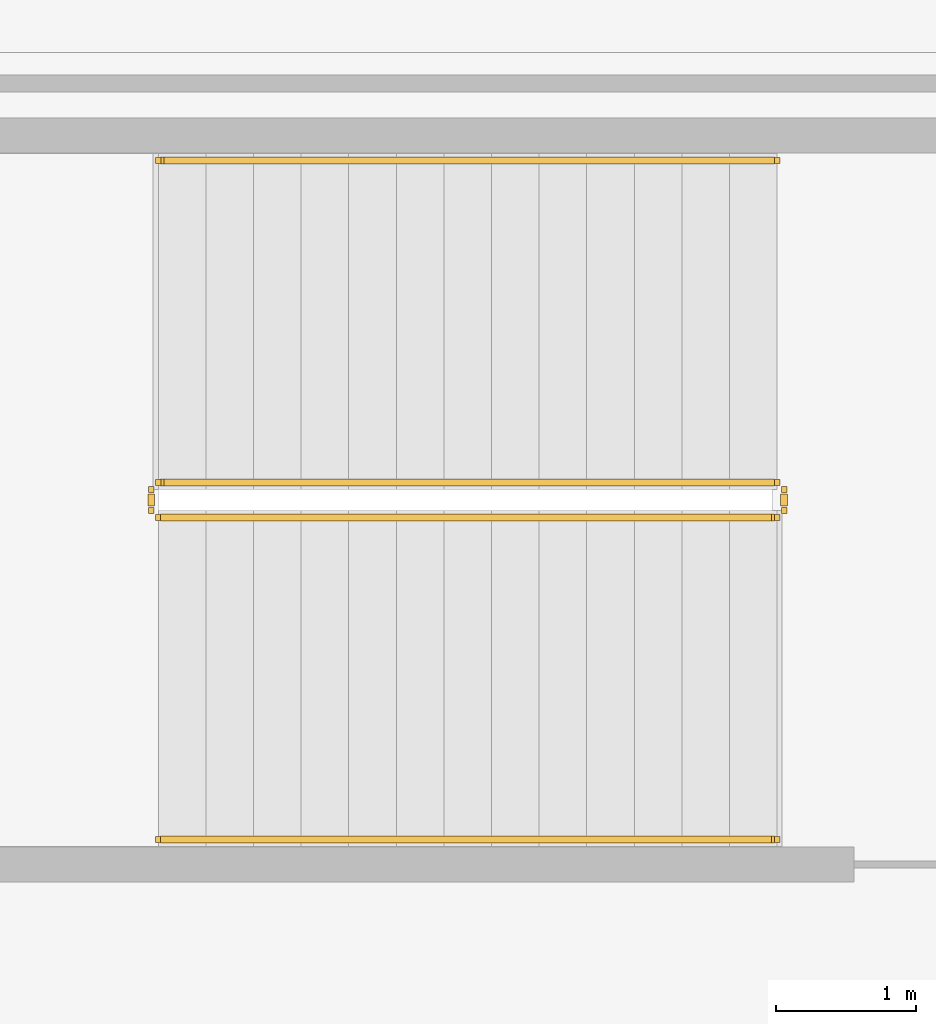
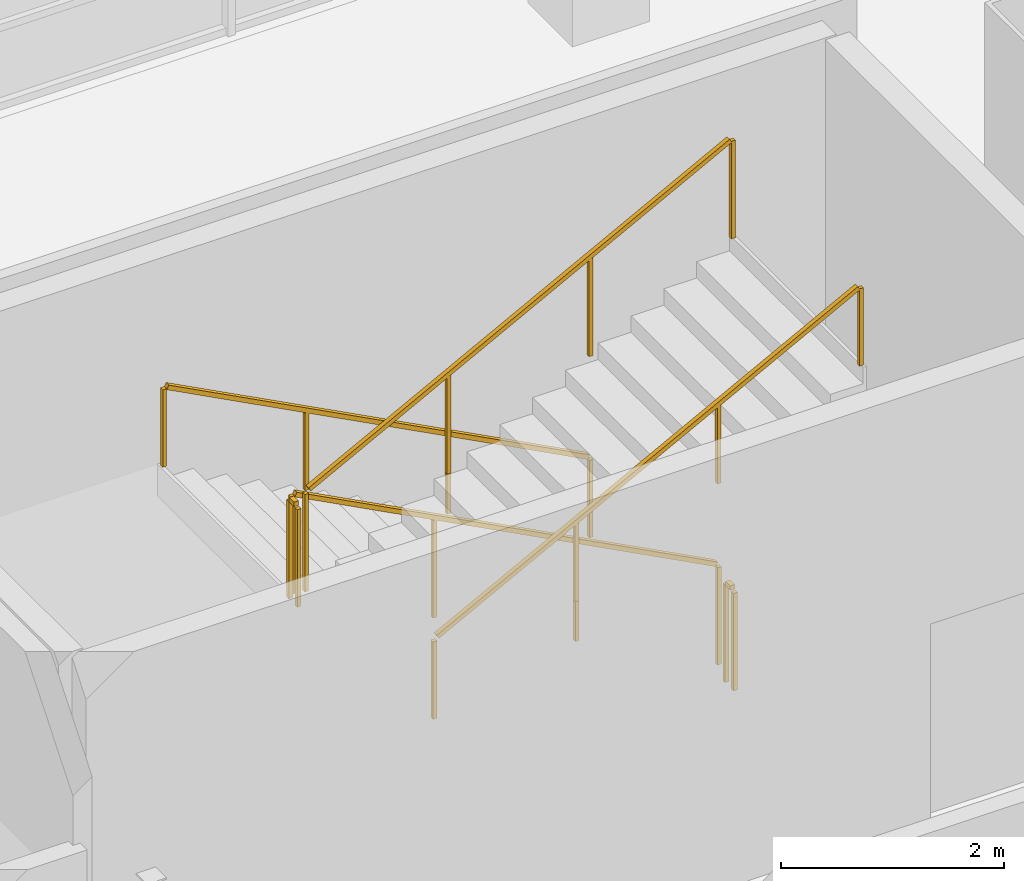
# One storey, part 20 of 20: 6 railings.
"""IFC4 building model written with IfcOpenShell, lengths in metres."""

from ifc_helpers import new_model, si_unit, direction, frame, origin, origin_2d, place, context, subcontext, project, spatial, rectangle, extrude, material, type_object, element, save


model = new_model("IFC4")

# Units and contexts
model_context = context("Model", 3, precision=1e-05, world=origin(), true_north=direction((0.0, 1.0)))
body_context = subcontext(model_context, "Body", "Model", "MODEL_VIEW")
ifc_project = project(units=[si_unit("LENGTHUNIT", "METRE"), si_unit("AREAUNIT", "SQUARE_METRE"), si_unit("VOLUMEUNIT", "CUBIC_METRE"), si_unit("PLANEANGLEUNIT", "RADIAN"), si_unit("MASSUNIT", "GRAM", prefix="KILO")], contexts=[model_context])

# Site, building, storey
site_placement = place(None, origin())
site = spatial("IfcSite", under=ifc_project, at=site_placement, CompositionType="ELEMENT")
building_placement = place(site_placement, origin())
building = spatial("IfcBuilding", under=site, at=building_placement, Name="Tharavind Bronze Gate", CompositionType="ELEMENT")
storey_placement = place(building_placement, frame((0.0, 0.0, 16.5)))
storey = spatial("IfcBuildingStorey", under=building, at=storey_placement, Name="L03", CompositionType="ELEMENT", Elevation=16.5)

# Railings
ifc_material = material(Name="Brushed Bronze Alloy", Category="metal")
railing_type_1 = type_object("IfcRailingType", Name="STAIR BRONZE HANDRAIL 900", PredefinedType="HANDRAIL", material=ifc_material)
railing_1_placement = place(storey_placement, frame((26.0, 17.89990234375, 0.178466796875)))
element("IfcRailing", 1, at=railing_1_placement, inside=storey, type_object=railing_type_1, Name="L03 ST4 stair handrail 1", PredefinedType="HANDRAIL", context=body_context, shape_type="SweptSolid", body=[
    extrude(rectangle(XDim=0.048095703125, YDim=0.048095703125, at=origin_2d()), frame((-0.0283203125, 0.0, 0.890625), z_axis=(-0.885309332511, 0.0, 0.465002565336), x_axis=(0.0, -1.0, 0.0)), (0.0, 0.0, 1.0), 4.928466796875),
    extrude(rectangle(XDim=0.0400390625, YDim=0.0400390625, at=origin_2d()), origin(), (0.0, 0.0, 1.0), 0.847900390625),
    extrude(rectangle(XDim=0.0400390625, YDim=0.0400390625, at=origin_2d()), frame((-1.473388671875, 0.0, 0.77392578125)), (0.0, 0.0, 1.0), 0.847900390625),
    extrude(rectangle(XDim=0.0400390625, YDim=0.0400390625, at=origin_2d()), frame((-2.946533203125, 0.0, 1.547607421875)), (0.0, 0.0, 1.0), 0.847900390625),
    extrude(rectangle(XDim=0.0400390625, YDim=0.0400390625, at=origin_2d()), frame((-4.419921875, 0.0, 2.321533203125)), (0.0, 0.0, 1.0), 0.847900390625),
])
railing_2_placement = place(storey_placement, frame((21.580078125, 13.050048828125, 2.678466796875)))
element("IfcRailing", 2, at=railing_2_placement, inside=storey, type_object=railing_type_1, Name="L03 ST4 stair handrail 2", PredefinedType="HANDRAIL", context=body_context, shape_type="SweptSolid", body=[
    extrude(rectangle(XDim=0.048095703125, YDim=0.048095703125, at=origin_2d()), frame((0.0283203125, 0.0, 0.890625), z_axis=(0.885309332511, 0.0, 0.465002565336), x_axis=(0.0, 1.0, 0.0)), (0.0, 0.0, 1.0), 4.928466796875),
    extrude(rectangle(XDim=0.0400390625, YDim=0.0400390625, at=origin_2d()), origin(), (0.0, 0.0, 1.0), 0.847900390625),
    extrude(rectangle(XDim=0.0400390625, YDim=0.0400390625, at=origin_2d()), frame((1.473388671875, 0.0, 0.77392578125)), (0.0, 0.0, 1.0), 0.847900390625),
    extrude(rectangle(XDim=0.0400390625, YDim=0.0400390625, at=origin_2d()), frame((2.946533203125, 0.0, 1.547607421875)), (0.0, 0.0, 1.0), 0.847900390625),
    extrude(rectangle(XDim=0.0400390625, YDim=0.0400390625, at=origin_2d()), frame((4.419921875, 0.0, 2.321533203125)), (0.0, 0.0, 1.0), 0.847900390625),
])
railing_type_2 = type_object("IfcRailingType", Name="STAIR WELL GUARD RAILING 1120", PredefinedType="GUARDRAIL", material=ifc_material)
railing_3_placement = place(storey_placement, frame((26.0, 15.60009765625, 0.178466796875)))
element("IfcRailing", 3, at=railing_3_placement, inside=storey, type_object=railing_type_2, Name="L03 ST4 stair guard 1", PredefinedType="GUARDRAIL", context=body_context, shape_type="SweptSolid", body=[
    extrude(rectangle(XDim=0.048095703125, YDim=0.048095703125, at=origin_2d()), frame((-0.0283203125, 0.0, 1.11083984375), z_axis=(-0.885309332511, 0.0, 0.465002565336), x_axis=(0.0, -1.0, 0.0)), (0.0, 0.0, 1.0), 4.928466796875),
    extrude(rectangle(XDim=0.0400390625, YDim=0.0400390625, at=origin_2d()), origin(), (0.0, 0.0, 1.0), 1.068115234375),
    extrude(rectangle(XDim=0.0400390625, YDim=0.0400390625, at=origin_2d()), frame((-1.473388671875, 0.0, 0.77392578125)), (0.0, 0.0, 1.0), 1.068115234375),
    extrude(rectangle(XDim=0.0400390625, YDim=0.0400390625, at=origin_2d()), frame((-2.946533203125, 0.0, 1.547607421875)), (0.0, 0.0, 1.0), 1.068115234375),
    extrude(rectangle(XDim=0.0400390625, YDim=0.0400390625, at=origin_2d()), frame((-4.419921875, 0.0, 2.321533203125)), (0.0, 0.0, 1.0), 1.068115234375),
])
railing_4_placement = place(storey_placement, frame((21.530029296875, 15.550048828125, 2.5)))
element("IfcRailing", 4, at=railing_4_placement, inside=storey, type_object=railing_type_2, Name="L03 ST4 stair guard 2", PredefinedType="GUARDRAIL", context=body_context, shape_type="SweptSolid", body=[
    extrude(rectangle(XDim=0.048095703125, YDim=0.048095703125, at=origin_2d()), frame((0.0, -0.031982421875, 1.09619140625), z_axis=(0.0, -1.0, 0.0), x_axis=(1.0, 0.0, 0.0)), (0.0, 0.0, 1.0), 0.086181640625),
    extrude(rectangle(XDim=0.0400390625, YDim=0.0400390625, at=origin_2d()), origin(), (0.0, 0.0, 1.0), 1.068115234375),
    extrude(rectangle(XDim=0.0400390625, YDim=0.0400390625, at=origin_2d()), frame((0.0, -0.150146484375, 0.0)), (0.0, 0.0, 1.0), 1.068115234375),
])
railing_5_placement = place(storey_placement, frame((21.580078125, 15.35009765625, 2.678466796875)))
element("IfcRailing", 5, at=railing_5_placement, inside=storey, type_object=railing_type_2, Name="L03 ST4 stair guard 3", PredefinedType="GUARDRAIL", context=body_context, shape_type="SweptSolid", body=[
    extrude(rectangle(XDim=0.048095703125, YDim=0.048095703125, at=origin_2d()), frame((0.0283203125, 0.0, 1.11083984375), z_axis=(0.885309332511, 0.0, 0.465002565336), x_axis=(0.0, 1.0, 0.0)), (0.0, 0.0, 1.0), 4.928466796875),
    extrude(rectangle(XDim=0.0400390625, YDim=0.0400390625, at=origin_2d()), origin(), (0.0, 0.0, 1.0), 1.068115234375),
    extrude(rectangle(XDim=0.0400390625, YDim=0.0400390625, at=origin_2d()), frame((1.473388671875, 0.0, 0.77392578125)), (0.0, 0.0, 1.0), 1.068115234375),
    extrude(rectangle(XDim=0.0400390625, YDim=0.0400390625, at=origin_2d()), frame((2.946533203125, 0.0, 1.547607421875)), (0.0, 0.0, 1.0), 1.068115234375),
    extrude(rectangle(XDim=0.0400390625, YDim=0.0400390625, at=origin_2d()), frame((4.419921875, 0.0, 2.321533203125)), (0.0, 0.0, 1.0), 1.068115234375),
])
railing_6_placement = place(storey_placement, frame((26.050048828125, 15.550048828125, 0.0)))
element("IfcRailing", 6, at=railing_6_placement, inside=storey, type_object=railing_type_2, Name="L03 ST4 stair guard 4", PredefinedType="GUARDRAIL", context=body_context, shape_type="SweptSolid", body=[
    extrude(rectangle(XDim=0.048095703125, YDim=0.048095703125, at=origin_2d()), frame((0.0, -0.031982421875, 1.09619140625), z_axis=(0.0, -1.0, 0.0), x_axis=(1.0, 0.0, 0.0)), (0.0, 0.0, 1.0), 0.086181640625),
    extrude(rectangle(XDim=0.0400390625, YDim=0.0400390625, at=origin_2d()), origin(), (0.0, 0.0, 1.0), 1.068115234375),
    extrude(rectangle(XDim=0.0400390625, YDim=0.0400390625, at=origin_2d()), frame((0.0, -0.150146484375, 0.0)), (0.0, 0.0, 1.0), 1.068115234375),
])

save(model, "model.ifc")
